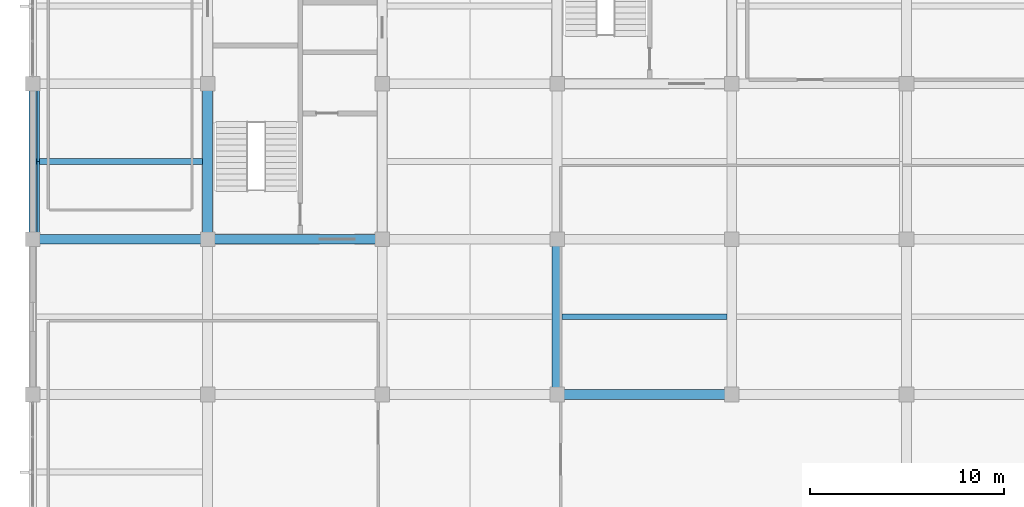
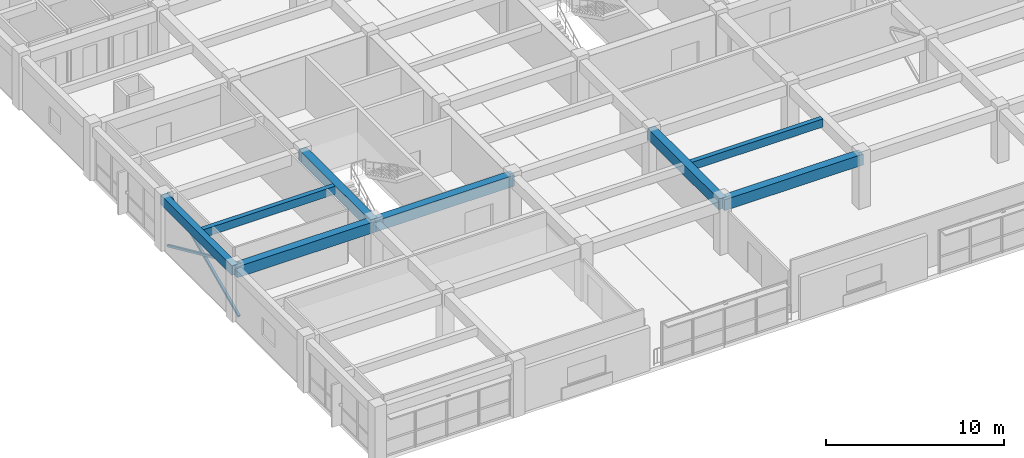
# One storey, part 3 of 15: 8 beams, 2 members.
"""IFC4 building model written with IfcOpenShell, lengths in metres."""

from ifc_helpers import new_model, si_unit, direction, frame, origin, origin_2d, place, context, subcontext, project, spatial, rectangle, hollow_rectangle, extrude, material, material_profile, profile_set, type_object, element, save


model = new_model("IFC4")

# Units and contexts
model_context = context("Model", 3, precision=1e-05, world=origin(), true_north=direction((0.0, 1.0)))
body_context = subcontext(model_context, "Body", "Model", "MODEL_VIEW")
ifc_project = project(units=[si_unit("LENGTHUNIT", "METRE"), si_unit("AREAUNIT", "SQUARE_METRE"), si_unit("VOLUMEUNIT", "CUBIC_METRE"), si_unit("PLANEANGLEUNIT", "RADIAN"), si_unit("MASSUNIT", "GRAM", prefix="KILO")], contexts=[model_context])

# Site, building, storey
site_placement = place(None, origin())
site = spatial("IfcSite", under=ifc_project, at=site_placement, CompositionType="ELEMENT")
building_placement = place(site_placement, origin())
building = spatial("IfcBuilding", under=site, at=building_placement, Name="Zaverband Oceanarium and Marine Research Institute", CompositionType="ELEMENT")
storey_placement = place(building_placement, frame((0.0, 0.0, 49.199951171875)))
storey = spatial("IfcBuildingStorey", under=building, at=storey_placement, Name="L12", CompositionType="ELEMENT", Elevation=49.199951171875)

# Beams
ifc_material_1 = material(Name="Concrete C40/50", Category="concrete")
ifc_material_profile_1 = material_profile(ifc_material_1, rectangle(XDim=0.5, YDim=0.75, at=origin_2d()), Name="RC500x750")
ifc_profile_set_1 = profile_set([ifc_material_profile_1], Name="Concrete C40/50")
beam_type_1 = type_object("IfcBeamType", Name="BM-500x750", PredefinedType="BEAM", material=ifc_profile_set_1)
for number, where, z_axis, x_axis, name in (
    (1, (36.0, 72.0, 3.2451171875), (1.0, 0.0, 0.0), (0.0, 1.0, 0.0), "Primary floor girder BM-500x750"),
    (2, (9.0, 80.0, 3.2451171875), (1.0, 0.0, 0.0), (0.0, 1.0, 0.0), "Primary floor girder BM-500x750"),
    (3, (18.0, 80.0, 3.2451171875), (1.0, 0.0, 0.0), (0.0, 1.0, 0.0), "Primary floor girder BM-500x750"),
):
    element("IfcBeam", number, at=place(storey_placement, frame(where, z_axis=z_axis, x_axis=x_axis)), inside=storey, type_object=beam_type_1, Name=name, PredefinedType="BEAM", context=body_context, shape_type="SweptSolid", body=[
        extrude(rectangle(XDim=0.5, YDim=0.75, at=origin_2d()), origin(), (0.0, 0.0, 1.0), 9.0),
    ])
for number, where, z_axis, x_axis, name in (
    (4, (18.0, 80.0, 3.2451171875), (0.0, 1.0, 0.0), (-1.0, 0.0, 0.0), "Primary floor girder BM-500x750"),
    (5, (36.0, 72.0, 3.2451171875), (0.0, 1.0, 0.0), (-1.0, 0.0, 0.0), "Primary floor girder BM-500x750"),
):
    element("IfcBeam", number, at=place(storey_placement, frame(where, z_axis=z_axis, x_axis=x_axis)), inside=storey, type_object=beam_type_1, Name=name, PredefinedType="BEAM", context=body_context, shape_type="SweptSolid", body=[
        extrude(rectangle(XDim=0.5, YDim=0.75, at=origin_2d()), origin(), (0.0, 0.0, 1.0), 8.0),
    ])

# Members
ifc_material_2 = material(Name="Steel S355", Category="steel")
ifc_material_profile_2 = material_profile(ifc_material_2, hollow_rectangle(XDim=0.14990234375, YDim=0.14990234375, WallThickness=0.008056640625, at=origin_2d()), Name="SHS150x150x8")
ifc_profile_set_2 = profile_set([ifc_material_profile_2], Name="Steel S355")
member_type = type_object("IfcMemberType", Name="BR-04", PredefinedType="BRACE", material=ifc_profile_set_2)
for number, where, z_axis, x_axis, name in (
    (6, (9.280029296875, 80.0, 0.0), (0.0, 0.91106217571, 0.412268980146), (-1.0, 0.0, 0.0), "Diagonal lateral brace BR-04"),
    (7, (9.280029296875, 88.0, 0.0), (0.0, -0.91106217571, 0.412268980146), (1.0, 0.0, 0.0), "Diagonal lateral brace BR-04"),
):
    element("IfcMember", number, at=place(storey_placement, frame(where, z_axis=z_axis, x_axis=x_axis)), inside=storey, type_object=member_type, Name=name, PredefinedType="BRACE", context=body_context, shape_type="SweptSolid", body=[
        extrude(hollow_rectangle(XDim=0.14990234375, YDim=0.14990234375, WallThickness=0.008056640625, at=origin_2d()), origin(), (0.0, 0.0, 1.0), 8.781005859375),
    ])

# Beams
ifc_material_profile_3 = material_profile(ifc_material_1, rectangle(XDim=0.300048828125, YDim=0.550048828125, at=origin_2d()), Name="RC300x550")
ifc_profile_set_3 = profile_set([ifc_material_profile_3], Name="Concrete C40/50")
beam_type_2 = type_object("IfcBeamType", Name="JST-300x550", PredefinedType="JOIST", material=ifc_profile_set_3)
beam_1_placement = place(storey_placement, frame((9.199951171875, 84.0, 3.344970703125), z_axis=(1.0, 0.0, 0.0), x_axis=(0.0, 1.0, 0.0)))
element("IfcBeam", 8, at=beam_1_placement, inside=storey, type_object=beam_type_2, Name="Secondary floor joist JST-300x550", PredefinedType="JOIST", context=body_context, shape_type="SweptSolid", body=[
    extrude(rectangle(XDim=0.300048828125, YDim=0.550048828125, at=origin_2d()), origin(), (0.0, 0.0, 1.0), 8.550048828125),
])
beam_2_placement = place(storey_placement, frame((36.25, 76.0, 3.344970703125), z_axis=(1.0, 0.0, 0.0), x_axis=(0.0, 1.0, 0.0)))
element("IfcBeam", 9, at=beam_2_placement, inside=storey, type_object=beam_type_2, Name="Secondary floor joist JST-300x550", PredefinedType="JOIST", context=body_context, shape_type="SweptSolid", body=[
    extrude(rectangle(XDim=0.300048828125, YDim=0.550048828125, at=origin_2d()), origin(), (0.0, 0.0, 1.0), 8.5),
])
ifc_material_profile_4 = material_profile(ifc_material_1, rectangle(XDim=0.39990234375, YDim=0.64990234375, at=origin_2d()), Name="RC400x650")
ifc_profile_set_4 = profile_set([ifc_material_profile_4], Name="Concrete C40/50")
beam_type_3 = type_object("IfcBeamType", Name="SPN-400x650", PredefinedType="SPANDREL", material=ifc_profile_set_4)
beam_3_placement = place(storey_placement, frame((9.0, 80.0, 3.295166015625), z_axis=(0.0, 1.0, 0.0), x_axis=(-1.0, 0.0, 0.0)))
element("IfcBeam", 10, at=beam_3_placement, inside=storey, type_object=beam_type_3, Name="Perimeter spandrel beam SPN-400x650", PredefinedType="SPANDREL", context=body_context, shape_type="SweptSolid", body=[
    extrude(rectangle(XDim=0.39990234375, YDim=0.64990234375, at=origin_2d()), origin(), (0.0, 0.0, 1.0), 8.0),
])

save(model, "model.ifc")
